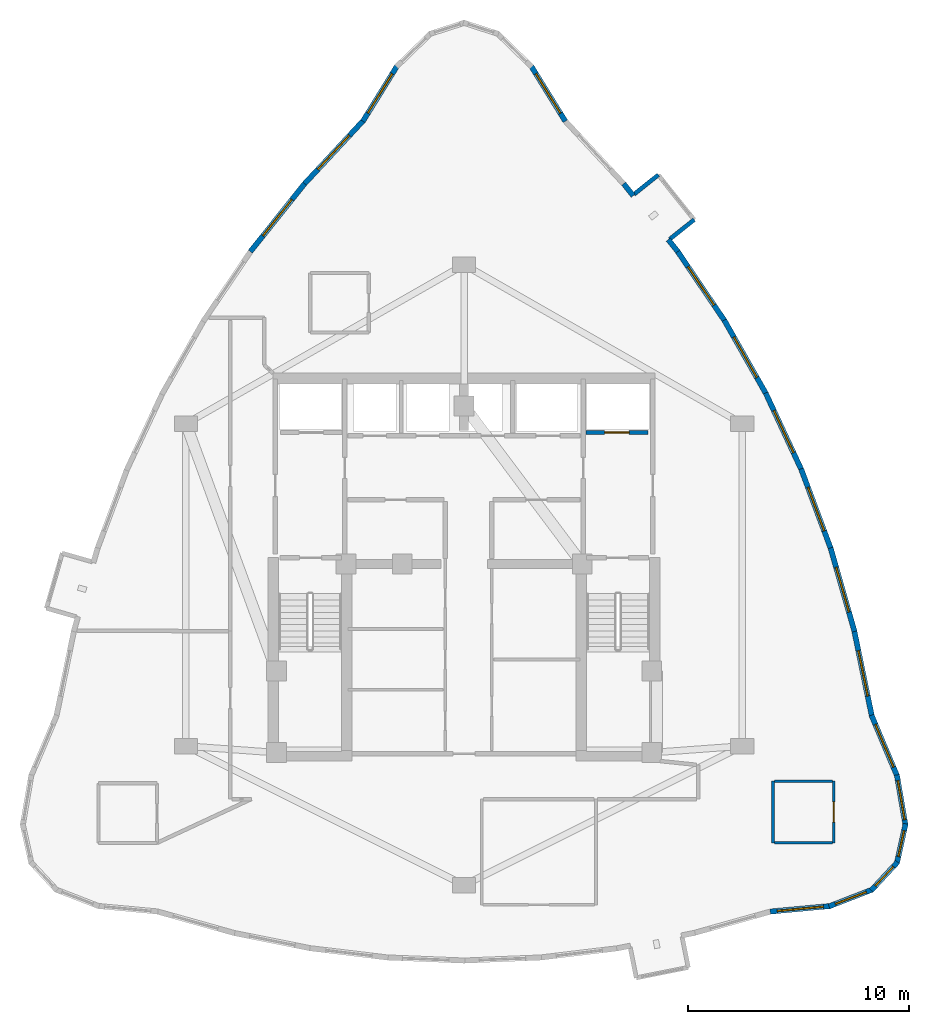
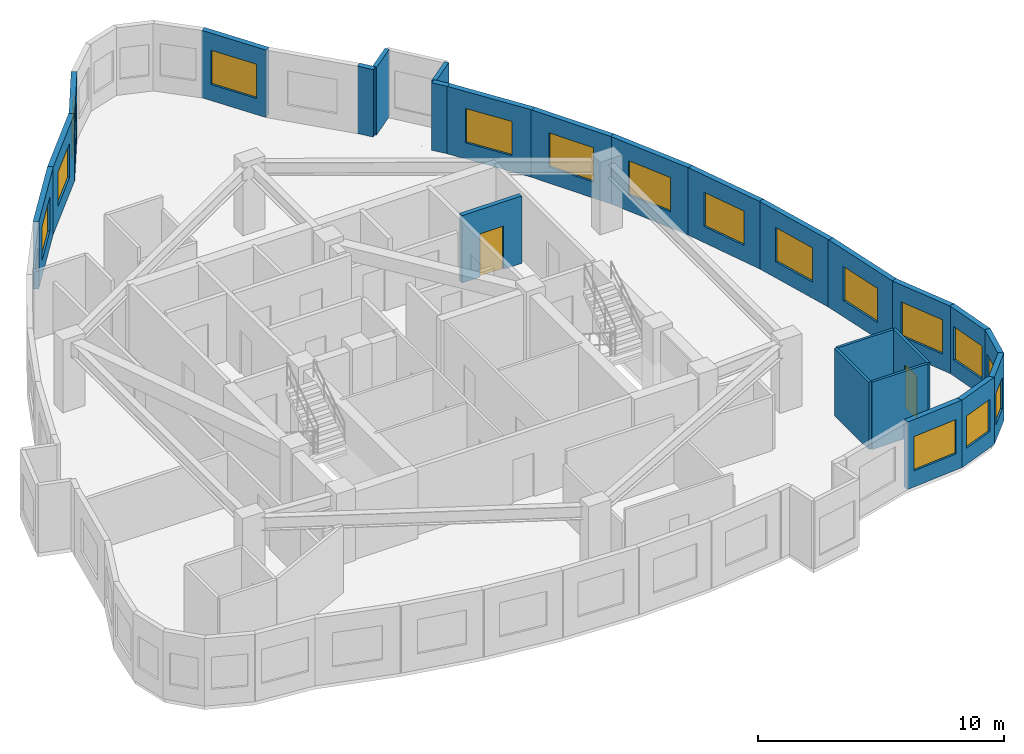
# One storey, part 7 of 9: 25 walls, 16 windows, 2 doors, 18 openings.
"""IFC4 building model written with IfcOpenShell, lengths in metres."""

from ifc_helpers import new_model, si_unit, direction, frame, frame_2d, origin, place, context, subcontext, project, spatial, rectangle, extrude, material, layer, layer_set, type_object, element, fill, save


model = new_model("IFC4")

# Units and contexts
model_context = context("Model", 3, precision=1e-05, world=origin(), true_north=direction((0.0, 1.0)))
body_context = subcontext(model_context, "Body", "Model", "MODEL_VIEW")
ifc_project = project(units=[si_unit("LENGTHUNIT", "METRE"), si_unit("AREAUNIT", "SQUARE_METRE"), si_unit("VOLUMEUNIT", "CUBIC_METRE"), si_unit("PLANEANGLEUNIT", "RADIAN"), si_unit("MASSUNIT", "GRAM", prefix="KILO")], contexts=[model_context])

# Site, building, storey
site_placement = place(None, origin())
site = spatial("IfcSite", under=ifc_project, at=site_placement, CompositionType="ELEMENT")
building_placement = place(site_placement, origin())
building = spatial("IfcBuilding", under=site, at=building_placement, Name="Miruveldt Soraemaru", CompositionType="ELEMENT")
storey_placement = place(building_placement, frame((0.0, 0.0, 223.199951171875)))
storey = spatial("IfcBuildingStorey", under=building, at=storey_placement, Name="L61", CompositionType="ELEMENT", Elevation=223.199951171875)

# Walls
ifc_material_1 = material(Name="White powder-coated aluminium EN AW-6060 T6", Category="aluminium")
ifc_layer_1 = layer(ifc_material_1, 0.18994140625, Name="White powder-coated aluminium EN AW-6060 T6", Category="aluminium")
ifc_layer_set_1 = layer_set([ifc_layer_1], Name="White powder-coated aluminium EN AW-6060 T6")
wall_type_1 = type_object("IfcWallType", Name="WALL-BAY-ALU190", PredefinedType="SOLIDWALL", material=ifc_layer_set_1)
wall_1_placement = place(storey_placement, frame((53.308837890625, 58.752685546875, 0.0), z_axis=(0.0, 0.0, 1.0), x_axis=(0.781737193764, 0.623608017817, 0.0)))
element("IfcWall", 1, at=wall_1_placement, inside=storey, type_object=wall_type_1, Name="L61 Bay Window Side Cheek 3L", PredefinedType="SOLIDWALL", context=body_context, shape_type="SweptSolid", body=[
    extrude(rectangle(XDim=1.425048828125, YDim=0.18994140625, at=frame_2d((0.71240234375, 0.0))), origin(), (0.0, 0.0, 1.0), 3.344970703125),
])
wall_2_placement = place(storey_placement, frame((52.801513671875, 61.673828125, 0.0), z_axis=(0.0, 0.0, 1.0), x_axis=(-0.781820714191, -0.623503304611, 0.0)))
element("IfcWall", 2, at=wall_2_placement, inside=storey, type_object=wall_type_1, Name="L61 Bay Window Side Cheek 3R", PredefinedType="SOLIDWALL", context=body_context, shape_type="SweptSolid", body=[
    extrude(rectangle(XDim=1.4248046875, YDim=0.18994140625, at=frame_2d((0.71240234375, 0.0))), origin(), (0.0, 0.0, 1.0), 3.344970703125),
])

# Wall, opening, window
ifc_material_2 = material(Name="Precast concrete C45/55 (45 MPa)", Category="concrete")
ifc_layer_2 = layer(ifc_material_2, 0.239990234375, Name="Precast concrete C45/55 (45 MPa)", Category="concrete")
ifc_layer_set_2 = layer_set([ifc_layer_2], Name="Precast concrete C45/55 (45 MPa)")
wall_type_2 = type_object("IfcWallType", Name="WALL-EXT-PC240", PredefinedType="SOLIDWALL", material=ifc_layer_set_2)
wall_3_placement = place(storey_placement, frame((48.58642578125, 64.1005859375, 0.0), z_axis=(0.0, 0.0, 1.0), x_axis=(-0.526039851437, 0.850459919514, 0.0)))
wall_3 = element("IfcWall", 3, at=wall_3_placement, inside=storey, type_object=wall_type_2, Name="L61 Precast Concrete Facade Wall 1", PredefinedType="SOLIDWALL", context=body_context, shape_type="SweptSolid", body=[
    extrude(rectangle(XDim=2.96435546875, YDim=0.239990234375, at=frame_2d((1.482177734375, 0.0))), origin(), (0.0, 0.0, 1.0), 3.344970703125),
])
opening_1_placement = place(wall_3_placement, frame((0.431884765625, 0.0, 0.800048828125)))
opening_1 = element("IfcOpeningElement", 4, at=opening_1_placement, cuts=wall_3, Name="Opening WN-1", PredefinedType="OPENING", context=body_context, shape_type="SweptSolid", body=[
    extrude(rectangle(XDim=2.10009765625, YDim=1.699951171875, at=frame_2d((1.050048828125, 0.85009765625))), frame((0.0, 0.1298828125, 0.0), z_axis=(0.0, -1.0, 0.0), x_axis=(1.0, 0.0, 0.0)), (0.0, 0.0, 1.0), 0.260009765625),
])
ifc_material_3 = material(Name="Triple low-e insulated glazing", Category="glass")
window_type_1 = type_object("IfcWindowType", Name="WIN-PUNCH-2100x1700", PartitioningType="SINGLE_PANEL", PredefinedType="WINDOW", material=ifc_material_3)
window_1_placement = place(opening_1_placement, origin())
window_1 = element("IfcWindow", 5, at=window_1_placement, inside=storey, type_object=window_type_1, Name="L61 Punched Triple-Glazed Window 01.1", OverallHeight=1.699951171875, OverallWidth=2.10009765625, PartitioningType="SINGLE_PANEL", PredefinedType="WINDOW", context=body_context, shape_type="SweptSolid", body=[
    extrude(rectangle(XDim=2.10009765625, YDim=1.699951171875, at=frame_2d((1.050048828125, 0.85009765625))), frame((0.0, 0.030029296875, 0.0), z_axis=(0.0, -1.0, 0.0), x_axis=(1.0, 0.0, 0.0)), (0.0, 0.0, 1.0), 0.06005859375),
])
fill(opening_1, window_1)

wall_4_placement = place(storey_placement, frame((40.972900390625, 66.62158203125, 0.0), z_axis=(0.0, 0.0, 1.0), x_axis=(-0.526039851437, -0.850459919514, 0.0)))
wall_4 = element("IfcWall", 6, at=wall_4_placement, inside=storey, type_object=wall_type_2, Name="L61 Precast Concrete Facade Wall 6", PredefinedType="SOLIDWALL", context=body_context, shape_type="SweptSolid", body=[
    extrude(rectangle(XDim=2.96435546875, YDim=0.239990234375, at=frame_2d((1.482177734375, 0.0))), origin(), (0.0, 0.0, 1.0), 3.344970703125),
])
opening_2_placement = place(wall_4_placement, frame((0.431884765625, 0.0, 0.800048828125)))
opening_2 = element("IfcOpeningElement", 7, at=opening_2_placement, cuts=wall_4, Name="Opening WN-1", PredefinedType="OPENING", context=body_context, shape_type="SweptSolid", body=[
    extrude(rectangle(XDim=2.10009765625, YDim=1.699951171875, at=frame_2d((1.050048828125, 0.85009765625))), frame((0.0, 0.1298828125, 0.0), z_axis=(0.0, -1.0, 0.0), x_axis=(1.0, 0.0, 0.0)), (0.0, 0.0, 1.0), 0.260009765625),
])
window_2_placement = place(opening_2_placement, origin())
window_2 = element("IfcWindow", 8, at=window_2_placement, inside=storey, type_object=window_type_1, Name="L61 Punched Triple-Glazed Window 06.1", OverallHeight=1.699951171875, OverallWidth=2.10009765625, PartitioningType="SINGLE_PANEL", PredefinedType="WINDOW", context=body_context, shape_type="SweptSolid", body=[
    extrude(rectangle(XDim=2.10009765625, YDim=1.699951171875, at=frame_2d((1.050048828125, 0.85009765625))), frame((0.0, 0.030029296875, 0.0), z_axis=(0.0, -1.0, 0.0), x_axis=(1.0, 0.0, 0.0)), (0.0, 0.0, 1.0), 0.06005859375),
])
fill(opening_2, window_2)

wall_5_placement = place(storey_placement, frame((39.455810546875, 64.156005859375, 0.0), z_axis=(0.0, 0.0, 1.0), x_axis=(-0.680901904473, -0.73237462851, 0.0)))
wall_5 = element("IfcWall", 9, at=wall_5_placement, inside=storey, type_object=wall_type_2, Name="L61 Precast Concrete Facade Wall 7", PredefinedType="SOLIDWALL", context=body_context, shape_type="SweptSolid", body=[
    extrude(rectangle(XDim=4.0078125, YDim=0.239990234375, at=frame_2d((2.00390625, 0.0))), origin(), (0.0, 0.0, 1.0), 3.344970703125),
])
opening_3_placement = place(wall_5_placement, frame((0.9541015625, 0.0, 0.800048828125)))
opening_3 = element("IfcOpeningElement", 10, at=opening_3_placement, cuts=wall_5, Name="Opening WN-1", PredefinedType="OPENING", context=body_context, shape_type="SweptSolid", body=[
    extrude(rectangle(XDim=2.10009765625, YDim=1.699951171875, at=frame_2d((1.050048828125, 0.85009765625))), frame((0.0, 0.1298828125, 0.0), z_axis=(0.0, -1.0, 0.0), x_axis=(1.0, 0.0, 0.0)), (0.0, 0.0, 1.0), 0.260009765625),
])
window_3_placement = place(opening_3_placement, origin())
window_3 = element("IfcWindow", 11, at=window_3_placement, inside=storey, type_object=window_type_1, Name="L61 Punched Triple-Glazed Window 07.1", OverallHeight=1.699951171875, OverallWidth=2.10009765625, PartitioningType="SINGLE_PANEL", PredefinedType="WINDOW", context=body_context, shape_type="SweptSolid", body=[
    extrude(rectangle(XDim=2.10009765625, YDim=1.699951171875, at=frame_2d((1.050048828125, 0.85009765625))), frame((0.0, 0.030029296875, 0.0), z_axis=(0.0, -1.0, 0.0), x_axis=(1.0, 0.0, 0.0)), (0.0, 0.0, 1.0), 0.06005859375),
])
fill(opening_3, window_3)

wall_6_placement = place(storey_placement, frame((36.7724609375, 61.273681640625, 0.0), z_axis=(0.0, 0.0, 1.0), x_axis=(-0.623613091905, -0.781733146032, 0.0)))
wall_6 = element("IfcWall", 12, at=wall_6_placement, inside=storey, type_object=wall_type_2, Name="L61 Precast Concrete Facade Wall 8", PredefinedType="SOLIDWALL", context=body_context, shape_type="SweptSolid", body=[
    extrude(rectangle(XDim=3.937255859375, YDim=0.239990234375, at=frame_2d((1.96875, 0.0))), origin(), (0.0, 0.0, 1.0), 3.344970703125),
])
opening_4_placement = place(wall_6_placement, frame((0.9189453125, 0.0, 0.800048828125)))
opening_4 = element("IfcOpeningElement", 13, at=opening_4_placement, cuts=wall_6, Name="Opening WN-1", PredefinedType="OPENING", context=body_context, shape_type="SweptSolid", body=[
    extrude(rectangle(XDim=2.10009765625, YDim=1.699951171875, at=frame_2d((1.050048828125, 0.85009765625))), frame((0.0, 0.1298828125, 0.0), z_axis=(0.0, -1.0, 0.0), x_axis=(1.0, 0.0, 0.0)), (0.0, 0.0, 1.0), 0.260009765625),
])
window_4_placement = place(opening_4_placement, origin())
window_4 = element("IfcWindow", 14, at=window_4_placement, inside=storey, type_object=window_type_1, Name="L61 Punched Triple-Glazed Window 08.1", OverallHeight=1.699951171875, OverallWidth=2.10009765625, PartitioningType="SINGLE_PANEL", PredefinedType="WINDOW", context=body_context, shape_type="SweptSolid", body=[
    extrude(rectangle(XDim=2.10009765625, YDim=1.699951171875, at=frame_2d((1.050048828125, 0.85009765625))), frame((0.0, 0.030029296875, 0.0), z_axis=(0.0, -1.0, 0.0), x_axis=(1.0, 0.0, 0.0)), (0.0, 0.0, 1.0), 0.06005859375),
])
fill(opening_4, window_4)

wall_7_placement = place(storey_placement, frame((57.865234375, 28.30078125, 0.0), z_axis=(0.0, 0.0, 1.0), x_axis=(0.995757284453, 0.092018641911, 0.0)))
wall_7 = element("IfcWall", 15, at=wall_7_placement, inside=storey, type_object=wall_type_2, Name="L61 Precast Concrete Facade Wall 29", PredefinedType="SOLIDWALL", context=body_context, shape_type="SweptSolid", body=[
    extrude(rectangle(XDim=2.74609375, YDim=0.239990234375, at=frame_2d((1.373046875, 0.0))), origin(), (0.0, 0.0, 1.0), 3.344970703125),
])
opening_5_placement = place(wall_7_placement, frame((0.322998046875, 0.0, 0.800048828125)))
opening_5 = element("IfcOpeningElement", 16, at=opening_5_placement, cuts=wall_7, Name="Opening WN-1", PredefinedType="OPENING", context=body_context, shape_type="SweptSolid", body=[
    extrude(rectangle(XDim=2.10009765625, YDim=1.699951171875, at=frame_2d((1.050048828125, 0.85009765625))), frame((0.0, 0.1298828125, 0.0), z_axis=(0.0, -1.0, 0.0), x_axis=(1.0, 0.0, 0.0)), (0.0, 0.0, 1.0), 0.260009765625),
])
window_5_placement = place(opening_5_placement, origin())
window_5 = element("IfcWindow", 17, at=window_5_placement, inside=storey, type_object=window_type_1, Name="L61 Punched Triple-Glazed Window 29.1", OverallHeight=1.699951171875, OverallWidth=2.10009765625, PartitioningType="SINGLE_PANEL", PredefinedType="WINDOW", context=body_context, shape_type="SweptSolid", body=[
    extrude(rectangle(XDim=2.10009765625, YDim=1.699951171875, at=frame_2d((1.050048828125, 0.85009765625))), frame((0.0, 0.030029296875, 0.0), z_axis=(0.0, -1.0, 0.0), x_axis=(1.0, 0.0, 0.0)), (0.0, 0.0, 1.0), 0.06005859375),
])
fill(opening_5, window_5)

wall_8_placement = place(storey_placement, frame((60.5322265625, 28.53759765625, 0.0), z_axis=(0.0, 0.0, 1.0), x_axis=(0.93230164069, 0.361681698137, 0.0)))
wall_8 = element("IfcWall", 18, at=wall_8_placement, inside=storey, type_object=wall_type_2, Name="L61 Precast Concrete Facade Wall 30", PredefinedType="SOLIDWALL", context=body_context, shape_type="SweptSolid", body=[
    extrude(rectangle(XDim=2.111328125, YDim=0.239990234375, at=frame_2d((1.0556640625, 0.0))), origin(), (0.0, 0.0, 1.0), 3.344970703125),
])
opening_6_placement = place(wall_8_placement, frame((0.305908203125, 0.0, 0.800048828125)))
opening_6 = element("IfcOpeningElement", 19, at=opening_6_placement, cuts=wall_8, Name="Opening WN-3", PredefinedType="OPENING", context=body_context, shape_type="SweptSolid", body=[
    extrude(rectangle(XDim=1.5, YDim=1.60009765625, at=frame_2d((0.75, 0.800048828125))), frame((0.0, 0.1298828125, 0.0), z_axis=(0.0, -1.0, 0.0), x_axis=(1.0, 0.0, 0.0)), (0.0, 0.0, 1.0), 0.260009765625),
])
window_type_2 = type_object("IfcWindowType", Name="WIN-PUNCH-1500x1600", PartitioningType="SINGLE_PANEL", PredefinedType="WINDOW", material=ifc_material_3)
window_6_placement = place(opening_6_placement, origin())
window_6 = element("IfcWindow", 20, at=window_6_placement, inside=storey, type_object=window_type_2, Name="L61 Punched Triple-Glazed Window 30.1", OverallHeight=1.60009765625, OverallWidth=1.5, PartitioningType="SINGLE_PANEL", PredefinedType="WINDOW", context=body_context, shape_type="SweptSolid", body=[
    extrude(rectangle(XDim=1.5, YDim=1.60009765625, at=frame_2d((0.75, 0.800048828125))), frame((0.0, 0.030029296875, 0.0), z_axis=(0.0, -1.0, 0.0), x_axis=(1.0, 0.0, 0.0)), (0.0, 0.0, 1.0), 0.06005859375),
])
fill(opening_6, window_6)

wall_9_placement = place(storey_placement, frame((62.4443359375, 29.262939453125, 0.0), z_axis=(0.0, 0.0, 1.0), x_axis=(0.680161948571, 0.733061882597, 0.0)))
wall_9 = element("IfcWall", 21, at=wall_9_placement, inside=storey, type_object=wall_type_2, Name="L61 Precast Concrete Facade Wall 31", PredefinedType="SOLIDWALL", context=body_context, shape_type="SweptSolid", body=[
    extrude(rectangle(XDim=1.7490234375, YDim=0.239990234375, at=frame_2d((0.87451171875, 0.0))), origin(), (0.0, 0.0, 1.0), 3.344970703125),
])
opening_7_placement = place(wall_9_placement, frame((0.27392578125, 0.0, 0.780029296875)))
opening_7 = element("IfcOpeningElement", 22, at=opening_7_placement, cuts=wall_9, Name="Opening WN-4", PredefinedType="OPENING", context=body_context, shape_type="SweptSolid", body=[
    extrude(rectangle(XDim=1.199951171875, YDim=1.550048828125, at=frame_2d((0.60009765625, 0.77490234375))), frame((0.0, 0.1298828125, 0.0), z_axis=(0.0, -1.0, 0.0), x_axis=(1.0, 0.0, 0.0)), (0.0, 0.0, 1.0), 0.260009765625),
])
window_type_3 = type_object("IfcWindowType", Name="WIN-PUNCH-1200x1550", PartitioningType="SINGLE_PANEL", PredefinedType="WINDOW", material=ifc_material_3)
window_7_placement = place(opening_7_placement, origin())
window_7 = element("IfcWindow", 23, at=window_7_placement, inside=storey, type_object=window_type_3, Name="L61 Punched Triple-Glazed Window 31.1", OverallHeight=1.550048828125, OverallWidth=1.199951171875, PartitioningType="SINGLE_PANEL", PredefinedType="WINDOW", context=body_context, shape_type="SweptSolid", body=[
    extrude(rectangle(XDim=1.199951171875, YDim=1.550048828125, at=frame_2d((0.60009765625, 0.77490234375))), frame((0.0, 0.030029296875, 0.0), z_axis=(0.0, -1.0, 0.0), x_axis=(1.0, 0.0, 0.0)), (0.0, 0.0, 1.0), 0.06005859375),
])
fill(opening_7, window_7)

wall_10_placement = place(storey_placement, frame((63.6025390625, 30.485107421875, 0.0), z_axis=(0.0, 0.0, 1.0), x_axis=(0.215831360357, 0.97643065493, 0.0)))
wall_10 = element("IfcWall", 24, at=wall_10_placement, inside=storey, type_object=wall_type_2, Name="L61 Precast Concrete Facade Wall 32", PredefinedType="SOLIDWALL", context=body_context, shape_type="SweptSolid", body=[
    extrude(rectangle(XDim=1.834716796875, YDim=0.239990234375, at=frame_2d((0.91748046875, 0.0))), origin(), (0.0, 0.0, 1.0), 3.344970703125),
])
opening_8_placement = place(wall_10_placement, frame((0.318115234375, 0.0, 0.780029296875)))
opening_8 = element("IfcOpeningElement", 25, at=opening_8_placement, cuts=wall_10, Name="Opening WN-4", PredefinedType="OPENING", context=body_context, shape_type="SweptSolid", body=[
    extrude(rectangle(XDim=1.199951171875, YDim=1.550048828125, at=frame_2d((0.60009765625, 0.77490234375))), frame((0.0, 0.1298828125, 0.0), z_axis=(0.0, -1.0, 0.0), x_axis=(1.0, 0.0, 0.0)), (0.0, 0.0, 1.0), 0.260009765625),
])
window_8_placement = place(opening_8_placement, origin())
window_8 = element("IfcWindow", 26, at=window_8_placement, inside=storey, type_object=window_type_3, Name="L61 Punched Triple-Glazed Window 32.1", OverallHeight=1.550048828125, OverallWidth=1.199951171875, PartitioningType="SINGLE_PANEL", PredefinedType="WINDOW", context=body_context, shape_type="SweptSolid", body=[
    extrude(rectangle(XDim=1.199951171875, YDim=1.550048828125, at=frame_2d((0.60009765625, 0.77490234375))), frame((0.0, 0.030029296875, 0.0), z_axis=(0.0, -1.0, 0.0), x_axis=(1.0, 0.0, 0.0)), (0.0, 0.0, 1.0), 0.06005859375),
])
fill(opening_8, window_8)

wall_11_placement = place(storey_placement, frame((63.996826171875, 32.2080078125, 0.0), z_axis=(0.0, 0.0, 1.0), x_axis=(-0.169367237658, 0.985553011668, 0.0)))
wall_11 = element("IfcWall", 27, at=wall_11_placement, inside=storey, type_object=wall_type_2, Name="L61 Precast Concrete Facade Wall 33", PredefinedType="SOLIDWALL", context=body_context, shape_type="SweptSolid", body=[
    extrude(rectangle(XDim=2.31787109375, YDim=0.239990234375, at=frame_2d((1.158935546875, 0.0))), origin(), (0.0, 0.0, 1.0), 3.344970703125),
])
opening_9_placement = place(wall_11_placement, frame((0.259033203125, 0.0, 0.800048828125)))
opening_9 = element("IfcOpeningElement", 28, at=opening_9_placement, cuts=wall_11, Name="Opening WN-2", PredefinedType="OPENING", context=body_context, shape_type="SweptSolid", body=[
    extrude(rectangle(XDim=1.800048828125, YDim=1.64990234375, at=frame_2d((0.89990234375, 0.824951171875))), frame((0.0, 0.1298828125, 0.0), z_axis=(0.0, -1.0, 0.0), x_axis=(1.0, 0.0, 0.0)), (0.0, 0.0, 1.0), 0.260009765625),
])
window_type_4 = type_object("IfcWindowType", Name="WIN-PUNCH-1800x1650", PartitioningType="SINGLE_PANEL", PredefinedType="WINDOW", material=ifc_material_3)
window_9_placement = place(opening_9_placement, origin())
window_9 = element("IfcWindow", 29, at=window_9_placement, inside=storey, type_object=window_type_4, Name="L61 Punched Triple-Glazed Window 33.1", OverallHeight=1.64990234375, OverallWidth=1.800048828125, PartitioningType="SINGLE_PANEL", PredefinedType="WINDOW", context=body_context, shape_type="SweptSolid", body=[
    extrude(rectangle(XDim=1.800048828125, YDim=1.64990234375, at=frame_2d((0.89990234375, 0.824951171875))), frame((0.0, 0.030029296875, 0.0), z_axis=(0.0, -1.0, 0.0), x_axis=(1.0, 0.0, 0.0)), (0.0, 0.0, 1.0), 0.06005859375),
])
fill(opening_9, window_9)

wall_12_placement = place(storey_placement, frame((63.623779296875, 34.42578125, 0.0), z_axis=(0.0, 0.0, 1.0), x_axis=(-0.388633766868, 0.921392313431, 0.0)))
wall_12 = element("IfcWall", 30, at=wall_12_placement, inside=storey, type_object=wall_type_2, Name="L61 Precast Concrete Facade Wall 34", PredefinedType="SOLIDWALL", context=body_context, shape_type="SweptSolid", body=[
    extrude(rectangle(XDim=3.008544921875, YDim=0.239990234375, at=frame_2d((1.50439453125, 0.0))), origin(), (0.0, 0.0, 1.0), 3.344970703125),
])
opening_10_placement = place(wall_12_placement, frame((0.455078125, 0.0, 0.800048828125)))
opening_10 = element("IfcOpeningElement", 31, at=opening_10_placement, cuts=wall_12, Name="Opening WN-1", PredefinedType="OPENING", context=body_context, shape_type="SweptSolid", body=[
    extrude(rectangle(XDim=2.10009765625, YDim=1.699951171875, at=frame_2d((1.050048828125, 0.85009765625))), frame((0.0, 0.1298828125, 0.0), z_axis=(0.0, -1.0, 0.0), x_axis=(1.0, 0.0, 0.0)), (0.0, 0.0, 1.0), 0.260009765625),
])
window_10_placement = place(opening_10_placement, origin())
window_10 = element("IfcWindow", 32, at=window_10_placement, inside=storey, type_object=window_type_1, Name="L61 Punched Triple-Glazed Window 34.1", OverallHeight=1.699951171875, OverallWidth=2.10009765625, PartitioningType="SINGLE_PANEL", PredefinedType="WINDOW", context=body_context, shape_type="SweptSolid", body=[
    extrude(rectangle(XDim=2.10009765625, YDim=1.699951171875, at=frame_2d((1.050048828125, 0.85009765625))), frame((0.0, 0.030029296875, 0.0), z_axis=(0.0, -1.0, 0.0), x_axis=(1.0, 0.0, 0.0)), (0.0, 0.0, 1.0), 0.06005859375),
])
fill(opening_10, window_10)

wall_13_placement = place(storey_placement, frame((62.475341796875, 37.13134765625, 0.0), z_axis=(0.0, 0.0, 1.0), x_axis=(-0.201630576479, 0.979461643266, 0.0)))
wall_13 = element("IfcWall", 33, at=wall_13_placement, inside=storey, type_object=wall_type_2, Name="L61 Precast Concrete Facade Wall 35", PredefinedType="SOLIDWALL", context=body_context, shape_type="SweptSolid", body=[
    extrude(rectangle(XDim=4.0078125, YDim=0.239990234375, at=frame_2d((2.00390625, 0.0))), origin(), (0.0, 0.0, 1.0), 3.344970703125),
])
opening_11_placement = place(wall_13_placement, frame((0.9541015625, 0.0, 0.800048828125)))
opening_11 = element("IfcOpeningElement", 34, at=opening_11_placement, cuts=wall_13, Name="Opening WN-1", PredefinedType="OPENING", context=body_context, shape_type="SweptSolid", body=[
    extrude(rectangle(XDim=2.10009765625, YDim=1.699951171875, at=frame_2d((1.050048828125, 0.85009765625))), frame((0.0, 0.1298828125, 0.0), z_axis=(0.0, -1.0, 0.0), x_axis=(1.0, 0.0, 0.0)), (0.0, 0.0, 1.0), 0.260009765625),
])
window_11_placement = place(opening_11_placement, origin())
window_11 = element("IfcWindow", 35, at=window_11_placement, inside=storey, type_object=window_type_1, Name="L61 Punched Triple-Glazed Window 35.1", OverallHeight=1.699951171875, OverallWidth=2.10009765625, PartitioningType="SINGLE_PANEL", PredefinedType="WINDOW", context=body_context, shape_type="SweptSolid", body=[
    extrude(rectangle(XDim=2.10009765625, YDim=1.699951171875, at=frame_2d((1.050048828125, 0.85009765625))), frame((0.0, 0.030029296875, 0.0), z_axis=(0.0, -1.0, 0.0), x_axis=(1.0, 0.0, 0.0)), (0.0, 0.0, 1.0), 0.06005859375),
])
fill(opening_11, window_11)

wall_14_placement = place(storey_placement, frame((61.68408203125, 40.989013671875, 0.0), z_axis=(0.0, 0.0, 1.0), x_axis=(-0.27500775882, 0.961442006878, 0.0)))
wall_14 = element("IfcWall", 36, at=wall_14_placement, inside=storey, type_object=wall_type_2, Name="L61 Precast Concrete Facade Wall 36", PredefinedType="SOLIDWALL", context=body_context, shape_type="SweptSolid", body=[
    extrude(rectangle(XDim=3.937255859375, YDim=0.239990234375, at=frame_2d((1.96875, 0.0))), origin(), (0.0, 0.0, 1.0), 3.344970703125),
])
opening_12_placement = place(wall_14_placement, frame((0.9189453125, 0.0, 0.800048828125)))
opening_12 = element("IfcOpeningElement", 37, at=opening_12_placement, cuts=wall_14, Name="Opening WN-1", PredefinedType="OPENING", context=body_context, shape_type="SweptSolid", body=[
    extrude(rectangle(XDim=2.10009765625, YDim=1.699951171875, at=frame_2d((1.050048828125, 0.85009765625))), frame((0.0, 0.1298828125, 0.0), z_axis=(0.0, -1.0, 0.0), x_axis=(1.0, 0.0, 0.0)), (0.0, 0.0, 1.0), 0.260009765625),
])
window_12_placement = place(opening_12_placement, origin())
window_12 = element("IfcWindow", 38, at=window_12_placement, inside=storey, type_object=window_type_1, Name="L61 Punched Triple-Glazed Window 36.1", OverallHeight=1.699951171875, OverallWidth=2.10009765625, PartitioningType="SINGLE_PANEL", PredefinedType="WINDOW", context=body_context, shape_type="SweptSolid", body=[
    extrude(rectangle(XDim=2.10009765625, YDim=1.699951171875, at=frame_2d((1.050048828125, 0.85009765625))), frame((0.0, 0.030029296875, 0.0), z_axis=(0.0, -1.0, 0.0), x_axis=(1.0, 0.0, 0.0)), (0.0, 0.0, 1.0), 0.06005859375),
])
fill(opening_12, window_12)

wall_15_placement = place(storey_placement, frame((60.623291015625, 44.7080078125, 0.0), z_axis=(0.0, 0.0, 1.0), x_axis=(-0.349010667613, 0.937118751222, 0.0)))
wall_15 = element("IfcWall", 39, at=wall_15_placement, inside=storey, type_object=wall_type_2, Name="L61 Precast Concrete Facade Wall 37", PredefinedType="SOLIDWALL", context=body_context, shape_type="SweptSolid", body=[
    extrude(rectangle(XDim=3.889404296875, YDim=0.239990234375, at=frame_2d((1.94482421875, 0.0))), origin(), (0.0, 0.0, 1.0), 3.344970703125),
])
opening_13_placement = place(wall_15_placement, frame((0.89501953125, 0.0, 0.800048828125)))
opening_13 = element("IfcOpeningElement", 40, at=opening_13_placement, cuts=wall_15, Name="Opening WN-1", PredefinedType="OPENING", context=body_context, shape_type="SweptSolid", body=[
    extrude(rectangle(XDim=2.10009765625, YDim=1.699951171875, at=frame_2d((1.050048828125, 0.85009765625))), frame((0.0, 0.1298828125, 0.0), z_axis=(0.0, -1.0, 0.0), x_axis=(1.0, 0.0, 0.0)), (0.0, 0.0, 1.0), 0.260009765625),
])
window_13_placement = place(opening_13_placement, origin())
window_13 = element("IfcWindow", 41, at=window_13_placement, inside=storey, type_object=window_type_1, Name="L61 Punched Triple-Glazed Window 37.1", OverallHeight=1.699951171875, OverallWidth=2.10009765625, PartitioningType="SINGLE_PANEL", PredefinedType="WINDOW", context=body_context, shape_type="SweptSolid", body=[
    extrude(rectangle(XDim=2.10009765625, YDim=1.699951171875, at=frame_2d((1.050048828125, 0.85009765625))), frame((0.0, 0.030029296875, 0.0), z_axis=(0.0, -1.0, 0.0), x_axis=(1.0, 0.0, 0.0)), (0.0, 0.0, 1.0), 0.06005859375),
])
fill(opening_13, window_13)

wall_16_placement = place(storey_placement, frame((59.292724609375, 48.2880859375, 0.0), z_axis=(0.0, 0.0, 1.0), x_axis=(-0.422307921973, 0.90645243617, 0.0)))
wall_16 = element("IfcWall", 42, at=wall_16_placement, inside=storey, type_object=wall_type_2, Name="L61 Precast Concrete Facade Wall 38", PredefinedType="SOLIDWALL", context=body_context, shape_type="SweptSolid", body=[
    extrude(rectangle(XDim=3.865234375, YDim=0.239990234375, at=frame_2d((1.9326171875, 0.0))), origin(), (0.0, 0.0, 1.0), 3.344970703125),
])
opening_14_placement = place(wall_16_placement, frame((0.883056640625, 0.0, 0.800048828125)))
opening_14 = element("IfcOpeningElement", 43, at=opening_14_placement, cuts=wall_16, Name="Opening WN-1", PredefinedType="OPENING", context=body_context, shape_type="SweptSolid", body=[
    extrude(rectangle(XDim=2.10009765625, YDim=1.699951171875, at=frame_2d((1.050048828125, 0.85009765625))), frame((0.0, 0.1298828125, 0.0), z_axis=(0.0, -1.0, 0.0), x_axis=(1.0, 0.0, 0.0)), (0.0, 0.0, 1.0), 0.260009765625),
])
window_14_placement = place(opening_14_placement, origin())
window_14 = element("IfcWindow", 44, at=window_14_placement, inside=storey, type_object=window_type_1, Name="L61 Punched Triple-Glazed Window 38.1", OverallHeight=1.699951171875, OverallWidth=2.10009765625, PartitioningType="SINGLE_PANEL", PredefinedType="WINDOW", context=body_context, shape_type="SweptSolid", body=[
    extrude(rectangle(XDim=2.10009765625, YDim=1.699951171875, at=frame_2d((1.050048828125, 0.85009765625))), frame((0.0, 0.030029296875, 0.0), z_axis=(0.0, -1.0, 0.0), x_axis=(1.0, 0.0, 0.0)), (0.0, 0.0, 1.0), 0.06005859375),
])
fill(opening_14, window_14)

wall_17_placement = place(storey_placement, frame((57.692626953125, 51.7294921875, 0.0), z_axis=(0.0, 0.0, 1.0), x_axis=(-0.493367923575, 0.86982072405, 0.0)))
wall_17 = element("IfcWall", 45, at=wall_17_placement, inside=storey, type_object=wall_type_2, Name="L61 Precast Concrete Facade Wall 39", PredefinedType="SOLIDWALL", context=body_context, shape_type="SweptSolid", body=[
    extrude(rectangle(XDim=3.865234375, YDim=0.239990234375, at=frame_2d((1.9326171875, 0.0))), origin(), (0.0, 0.0, 1.0), 3.344970703125),
])
opening_15_placement = place(wall_17_placement, frame((0.883056640625, 0.0, 0.800048828125)))
opening_15 = element("IfcOpeningElement", 46, at=opening_15_placement, cuts=wall_17, Name="Opening WN-1", PredefinedType="OPENING", context=body_context, shape_type="SweptSolid", body=[
    extrude(rectangle(XDim=2.10009765625, YDim=1.699951171875, at=frame_2d((1.050048828125, 0.85009765625))), frame((0.0, 0.1298828125, 0.0), z_axis=(0.0, -1.0, 0.0), x_axis=(1.0, 0.0, 0.0)), (0.0, 0.0, 1.0), 0.260009765625),
])
window_15_placement = place(opening_15_placement, origin())
window_15 = element("IfcWindow", 47, at=window_15_placement, inside=storey, type_object=window_type_1, Name="L61 Punched Triple-Glazed Window 39.1", OverallHeight=1.699951171875, OverallWidth=2.10009765625, PartitioningType="SINGLE_PANEL", PredefinedType="WINDOW", context=body_context, shape_type="SweptSolid", body=[
    extrude(rectangle(XDim=2.10009765625, YDim=1.699951171875, at=frame_2d((1.050048828125, 0.85009765625))), frame((0.0, 0.030029296875, 0.0), z_axis=(0.0, -1.0, 0.0), x_axis=(1.0, 0.0, 0.0)), (0.0, 0.0, 1.0), 0.06005859375),
])
fill(opening_15, window_15)

wall_18_placement = place(storey_placement, frame((55.822509765625, 55.031982421875, 0.0), z_axis=(0.0, 0.0, 1.0), x_axis=(-0.56079817789, 0.827952537091, 0.0)))
wall_18 = element("IfcWall", 48, at=wall_18_placement, inside=storey, type_object=wall_type_2, Name="L61 Precast Concrete Facade Wall 40", PredefinedType="SOLIDWALL", context=body_context, shape_type="SweptSolid", body=[
    extrude(rectangle(XDim=3.889404296875, YDim=0.239990234375, at=frame_2d((1.94482421875, 0.0))), origin(), (0.0, 0.0, 1.0), 3.344970703125),
])
opening_16_placement = place(wall_18_placement, frame((0.89501953125, 0.0, 0.800048828125)))
opening_16 = element("IfcOpeningElement", 49, at=opening_16_placement, cuts=wall_18, Name="Opening WN-1", PredefinedType="OPENING", context=body_context, shape_type="SweptSolid", body=[
    extrude(rectangle(XDim=2.10009765625, YDim=1.699951171875, at=frame_2d((1.050048828125, 0.85009765625))), frame((0.0, 0.1298828125, 0.0), z_axis=(0.0, -1.0, 0.0), x_axis=(1.0, 0.0, 0.0)), (0.0, 0.0, 1.0), 0.260009765625),
])
window_16_placement = place(opening_16_placement, origin())
window_16 = element("IfcWindow", 50, at=window_16_placement, inside=storey, type_object=window_type_1, Name="L61 Punched Triple-Glazed Window 40.1", OverallHeight=1.699951171875, OverallWidth=2.10009765625, PartitioningType="SINGLE_PANEL", PredefinedType="WINDOW", context=body_context, shape_type="SweptSolid", body=[
    extrude(rectangle(XDim=2.10009765625, YDim=1.699951171875, at=frame_2d((1.050048828125, 0.85009765625))), frame((0.0, 0.030029296875, 0.0), z_axis=(0.0, -1.0, 0.0), x_axis=(1.0, 0.0, 0.0)), (0.0, 0.0, 1.0), 0.06005859375),
])
fill(opening_16, window_16)

# Walls
for number, where, z_axis, x_axis, name in (
    (51, (53.682861328125, 58.19580078125, 0.0), (0.0, 0.0, 1.0), (-0.623500916928, 0.781822618367, 0.0), "L61 Precast Pier Wall 41A"),
    (52, (51.6630859375, 60.7275390625, 0.0), (0.0, 0.0, 1.0), (-0.623500916928, 0.781822618367, 0.0), "L61 Precast Pier Wall 41B"),
):
    element("IfcWall", number, at=place(storey_placement, frame(where, z_axis=z_axis, x_axis=x_axis)), inside=storey, type_object=wall_type_2, Name=name, PredefinedType="SOLIDWALL", context=body_context, shape_type="SweptSolid", body=[
        extrude(rectangle(XDim=0.698486328125, YDim=0.239990234375, at=frame_2d((0.34912109375, 0.0))), origin(), (0.0, 0.0, 1.0), 3.344970703125),
    ])

# Wall, opening, door
ifc_material_4 = material(Name="Gypsum plasterboard lining", Category="gypsum")
ifc_layer_3 = layer(ifc_material_4, 0.1201171875, Name="Gypsum plasterboard lining", Category="gypsum")
ifc_layer_set_3 = layer_set([ifc_layer_3], Name="Gypsum plasterboard lining")
wall_type_3 = type_object("IfcWallType", Name="WALL-INT-P120", PredefinedType="PARTITIONING", material=ifc_layer_set_3)
wall_19_placement = place(storey_placement, frame((60.739013671875, 31.412109375, 0.0), z_axis=(0.0, 0.0, 1.0), x_axis=(0.0, 1.0, 0.0)))
wall_19 = element("IfcWall", 53, at=wall_19_placement, inside=storey, type_object=wall_type_3, Name="L61 Partition Wall 17", PredefinedType="PARTITIONING", context=body_context, shape_type="SweptSolid", body=[
    extrude(rectangle(XDim=2.7998046875, YDim=0.1201171875, at=frame_2d((1.39990234375, 0.0))), origin(), (0.0, 0.0, 1.0), 3.344970703125),
])
opening_17_placement = place(wall_19_placement, frame((0.93994140625, 0.0, 0.0)))
opening_17 = element("IfcOpeningElement", 54, at=opening_17_placement, cuts=wall_19, Name="Opening D3A", PredefinedType="OPENING", context=body_context, shape_type="SweptSolid", body=[
    extrude(rectangle(XDim=0.919921875, YDim=2.10009765625, at=frame_2d((0.4599609375, 1.050048828125))), frame((0.0, 0.070068359375, 0.0), z_axis=(0.0, -1.0, 0.0), x_axis=(1.0, 0.0, 0.0)), (0.0, 0.0, 1.0), 0.14013671875),
])
ifc_material_5 = material(Name="Anodised aluminium EN AW-6063 T6", Category="aluminium")
door_type_1 = type_object("IfcDoorType", Name="DOOR-INT-920", OperationType="NOTDEFINED", PredefinedType="DOOR", material=ifc_material_5)
door_1_placement = place(opening_17_placement, origin())
door_1 = element("IfcDoor", 55, at=door_1_placement, inside=storey, type_object=door_type_1, Name="L61 Unit CL02 KIT Door", OperationType="SINGLE_SWING_LEFT", OverallHeight=2.10009765625, OverallWidth=0.919921875, PredefinedType="DOOR", context=body_context, shape_type="SweptSolid", body=[
    extrude(rectangle(XDim=0.919921875, YDim=2.10009765625, at=frame_2d((0.4599609375, 1.050048828125))), frame((0.0, 0.02490234375, 0.0), z_axis=(0.0, -1.0, 0.0), x_axis=(1.0, 0.0, 0.0)), (0.0, 0.0, 1.0), 0.050048828125),
])
fill(opening_17, door_1)

# Walls
wall_20_placement = place(storey_placement, frame((57.989013671875, 34.2119140625, 0.0), z_axis=(0.0, 0.0, 1.0), x_axis=(0.0, -1.0, 0.0)))
element("IfcWall", 56, at=wall_20_placement, inside=storey, type_object=wall_type_3, Name="L61 Partition Wall 19", PredefinedType="PARTITIONING", context=body_context, shape_type="SweptSolid", body=[
    extrude(rectangle(XDim=2.7998046875, YDim=0.1201171875, at=frame_2d((1.39990234375, 0.0))), origin(), (0.0, 0.0, 1.0), 3.344970703125),
])
for number, where, z_axis, x_axis, name in (
    (57, (60.678955078125, 34.2119140625, 0.0), (0.0, 0.0, 1.0), (-1.0, 0.0, 0.0), "L61 Partition Wall 18"),
    (58, (58.049072265625, 31.412109375, 0.0), (0.0, 0.0, 1.0), (1.0, 0.0, 0.0), "L61 Partition Wall 20"),
):
    element("IfcWall", number, at=place(storey_placement, frame(where, z_axis=z_axis, x_axis=x_axis)), inside=storey, type_object=wall_type_3, Name=name, PredefinedType="PARTITIONING", context=body_context, shape_type="SweptSolid", body=[
        extrude(rectangle(XDim=2.6298828125, YDim=0.1201171875, at=frame_2d((1.31494140625, 0.0))), origin(), (0.0, 0.0, 1.0), 3.344970703125),
    ])

# Wall, opening, door
ifc_material_6 = material(Name="Concrete C40/50 (40 MPa)", Category="concrete")
ifc_layer_4 = layer(ifc_material_6, 0.199951171875, Name="Concrete C40/50 (40 MPa)", Category="concrete")
ifc_layer_set_4 = layer_set([ifc_layer_4], Name="Concrete C40/50 (40 MPa)")
wall_type_4 = type_object("IfcWallType", Name="WALL-INT-RC200", PredefinedType="SOLIDWALL", material=ifc_layer_set_4)
wall_21_placement = place(storey_placement, frame((49.52001953125, 50.0, 0.0), z_axis=(0.0, 0.0, 1.0), x_axis=(1.0, 0.0, 0.0)))
wall_21 = element("IfcWall", 59, at=wall_21_placement, inside=storey, type_object=wall_type_4, Name="L61 Core Compartment Wall FFL2-S", PredefinedType="SOLIDWALL", context=body_context, shape_type="SweptSolid", body=[
    extrude(rectangle(XDim=2.800048828125, YDim=0.199951171875, at=frame_2d((1.39990234375, 0.0))), origin(), (0.0, 0.0, 1.0), 3.344970703125),
])
opening_18_placement = place(wall_21_placement, frame((0.85009765625, 0.0, 0.0)))
opening_18 = element("IfcOpeningElement", 60, at=opening_18_placement, cuts=wall_21, Name="Opening LD2", PredefinedType="OPENING", context=body_context, shape_type="SweptSolid", body=[
    extrude(rectangle(XDim=1.10009765625, YDim=2.14990234375, at=frame_2d((0.550048828125, 1.074951171875))), frame((0.0, 0.10986328125, 0.0), z_axis=(0.0, -1.0, 0.0), x_axis=(1.0, 0.0, 0.0)), (0.0, 0.0, 1.0), 0.219970703125),
])
door_type_2 = type_object("IfcDoorType", Name="DOOR-LD2-1100", OperationType="SLIDING_TO_LEFT", PredefinedType="DOOR", material=ifc_material_5)
door_2_placement = place(opening_18_placement, origin())
door_2 = element("IfcDoor", 61, at=door_2_placement, inside=storey, type_object=door_type_2, Name="L61 FFL-2 Landing Door", OperationType="SLIDING_TO_LEFT", OverallHeight=2.14990234375, OverallWidth=1.10009765625, PredefinedType="DOOR", context=body_context, shape_type="SweptSolid", body=[
    extrude(rectangle(XDim=1.10009765625, YDim=2.14990234375, at=frame_2d((0.550048828125, 1.074951171875))), frame((0.0, 0.02490234375, 0.0), z_axis=(0.0, -1.0, 0.0), x_axis=(1.0, 0.0, 0.0)), (0.0, 0.0, 1.0), 0.050048828125),
])
fill(opening_18, door_2)

save(model, "model.ifc")
